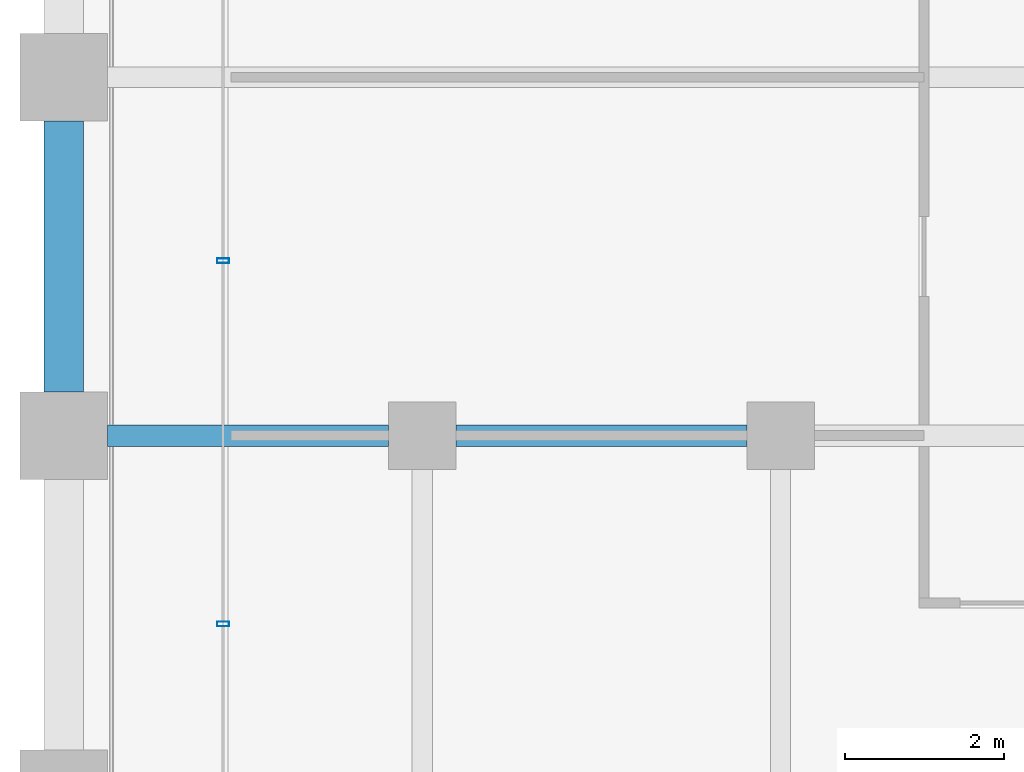
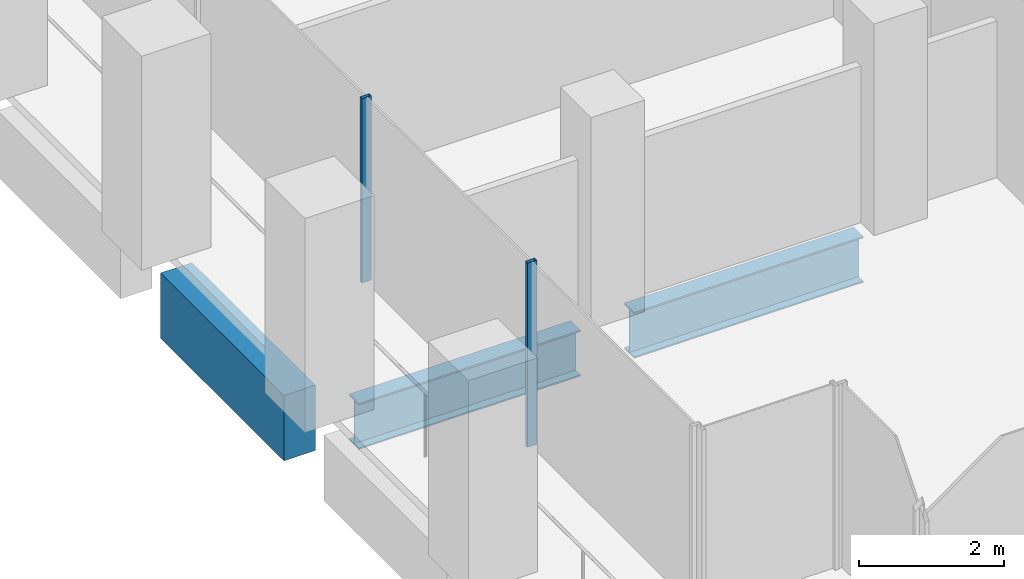
# One storey, part 5 of 56: 3 beams, 2 members, 1 element without a shape of its own.
"""IFC4 building model written with IfcOpenShell, lengths in metres."""

from ifc_helpers import new_model, si_unit, direction, frame, origin, origin_2d, place, context, subcontext, project, spatial, rectangle, hollow_rectangle, i_section, extrude, material, material_profile, profile_set, type_object, element, aggregate, save


model = new_model("IFC4")

# Units and contexts
model_context = context("Model", 3, precision=1e-05, world=origin(), true_north=direction((0.0, 1.0)))
body_context = subcontext(model_context, "Body", "Model", "MODEL_VIEW")
ifc_project = project(units=[si_unit("LENGTHUNIT", "METRE"), si_unit("AREAUNIT", "SQUARE_METRE"), si_unit("VOLUMEUNIT", "CUBIC_METRE"), si_unit("PLANEANGLEUNIT", "RADIAN"), si_unit("MASSUNIT", "GRAM", prefix="KILO")], contexts=[model_context])

# Site, building, storey
site_placement = place(None, origin())
site = spatial("IfcSite", under=ifc_project, at=site_placement, CompositionType="ELEMENT")
building_placement = place(site_placement, origin())
building = spatial("IfcBuilding", under=site, at=building_placement, Name="Altepetl Exchange Towers", CompositionType="ELEMENT")
storey_placement = place(building_placement, frame((0.0, 0.0, 51.0)))
storey = spatial("IfcBuildingStorey", under=building, at=storey_placement, Name="L11", CompositionType="ELEMENT", Elevation=51.0)

# Beams
ifc_material_1 = material(Name="Steel S355", Category="steel")
ifc_material_profile_1 = material_profile(ifc_material_1, i_section(OverallWidth=0.26806640625, OverallDepth=0.77392578125, WebThickness=0.015380859375, FlangeThickness=0.025390625, at=origin_2d()), Name="W30X132")
ifc_profile_set_1 = profile_set([ifc_material_profile_1], Name="Steel S355")
beam_type_1 = type_object("IfcBeamType", Name="Girder W30X132", PredefinedType="BEAM", material=ifc_profile_set_1)
beam_1_placement = place(storey_placement, frame((35.574951171875, 40.5, -0.537109375), z_axis=(-1.0, 0.0, 0.0), x_axis=(0.0, -1.0, 0.0)))
element("IfcBeam", 1, at=beam_1_placement, inside=storey, type_object=beam_type_1, Name="gd:A:L11:010", PredefinedType="BEAM", context=body_context, shape_type="SweptSolid", body=[
    extrude(i_section(OverallWidth=0.26806640625, OverallDepth=0.77392578125, WebThickness=0.015380859375, FlangeThickness=0.025390625, at=origin_2d()), origin(), (0.0, 0.0, 1.0), 3.64990234375),
])
beam_2_placement = place(storey_placement, frame((31.074951171875, 40.5, -0.537109375), z_axis=(-1.0, 0.0, 0.0), x_axis=(0.0, -1.0, 0.0)))
element("IfcBeam", 2, at=beam_2_placement, inside=storey, type_object=beam_type_1, Name="gd:A:L11:011", PredefinedType="BEAM", context=body_context, shape_type="SweptSolid", body=[
    extrude(i_section(OverallWidth=0.26806640625, OverallDepth=0.77392578125, WebThickness=0.015380859375, FlangeThickness=0.025390625, at=origin_2d()), origin(), (0.0, 0.0, 1.0), 3.52490234375),
])

# Curtain wall, members
ifc_material_2 = material(Name="Aluminium 6063-T6 glazing", Category="aluminium")
curtain_wall_type = type_object("IfcCurtainWallType", Name="Loggia glazing system", PredefinedType="NOTDEFINED", material=ifc_material_2)
curtain_wall_placement = place(storey_placement, origin())
curtain_wall = element("IfcCurtainWall", 3, at=curtain_wall_placement, inside=storey, type_object=curtain_wall_type, Name="CW1 run", PredefinedType="NOTDEFINED")
ifc_material_3 = material(Name="Aluminium 6063-T6", Category="aluminium")
ifc_material_profile_2 = material_profile(ifc_material_3, hollow_rectangle(XDim=0.06005859375, YDim=0.14990234375, WallThickness=0.0029296875, at=origin_2d()), Name="Mullion 60x150 aluminium")
ifc_profile_set_2 = profile_set([ifc_material_profile_2], Name="Aluminium 6063-T6")
member_type = type_object("IfcMemberType", Name="Mullion 60x150 aluminium", PredefinedType="MULLION", material=ifc_profile_set_2)
member_1_placement = place(storey_placement, frame((29.0, 42.696533203125, 0.0), z_axis=(0.0, 0.0, 1.0), x_axis=(0.0, -1.0, 0.0)))
member_1 = element("IfcMember", 4, at=member_1_placement, type_object=member_type, Name="MU1 mullion", PredefinedType="MULLION", context=body_context, shape_type="SweptSolid", body=[
    extrude(hollow_rectangle(XDim=0.06005859375, YDim=0.14990234375, WallThickness=0.0029296875, at=origin_2d()), origin(), (0.0, 0.0, 1.0), 3.10009765625),
])
member_2_placement = place(storey_placement, frame((29.0, 38.1357421875, 0.0), z_axis=(0.0, 0.0, 1.0), x_axis=(0.0, -1.0, 0.0)))
member_2 = element("IfcMember", 5, at=member_2_placement, type_object=member_type, Name="MU1 mullion", PredefinedType="MULLION", context=body_context, shape_type="SweptSolid", body=[
    extrude(hollow_rectangle(XDim=0.06005859375, YDim=0.14990234375, WallThickness=0.0029296875, at=origin_2d()), origin(), (0.0, 0.0, 1.0), 3.10009765625),
])
aggregate(curtain_wall, [member_1, member_2])

# Beam
ifc_material_4 = material(Name="Concrete C50/60 precast with tezontle facing", Category="concrete")
ifc_material_profile_3 = material_profile(ifc_material_4, rectangle(XDim=0.5, YDim=1.10009765625, at=origin_2d()), Name="500 x 1100")
ifc_profile_set_3 = profile_set([ifc_material_profile_3], Name="Concrete C50/60 precast with tezontle facing")
beam_type_2 = type_object("IfcBeamType", Name="Spandrel beam 500x1100 tezontle", PredefinedType="SPANDREL", material=ifc_profile_set_3)
beam_3_placement = place(storey_placement, frame((27.0, 44.449951171875, -0.699951171875), z_axis=(0.0, -1.0, 0.0), x_axis=(1.0, 0.0, 0.0)))
element("IfcBeam", 6, at=beam_3_placement, inside=storey, type_object=beam_type_2, Name="sp:A:L11:041", PredefinedType="SPANDREL", context=body_context, shape_type="SweptSolid", body=[
    extrude(rectangle(XDim=0.5, YDim=1.10009765625, at=origin_2d()), origin(), (0.0, 0.0, 1.0), 3.39990234375),
])

save(model, "model.ifc")
